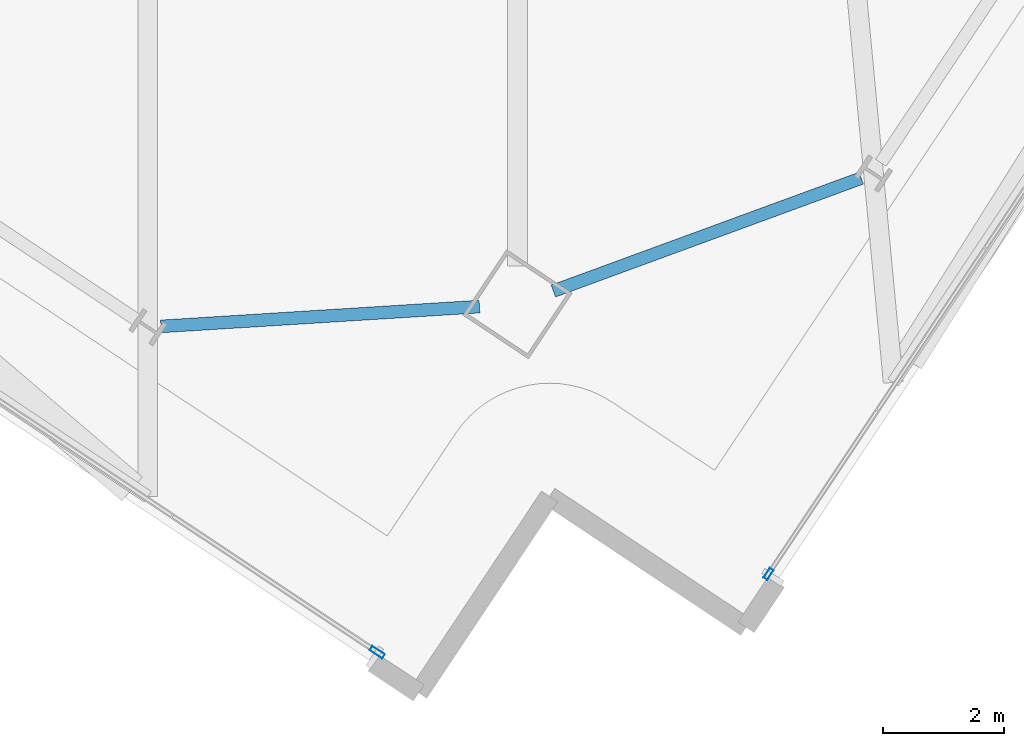
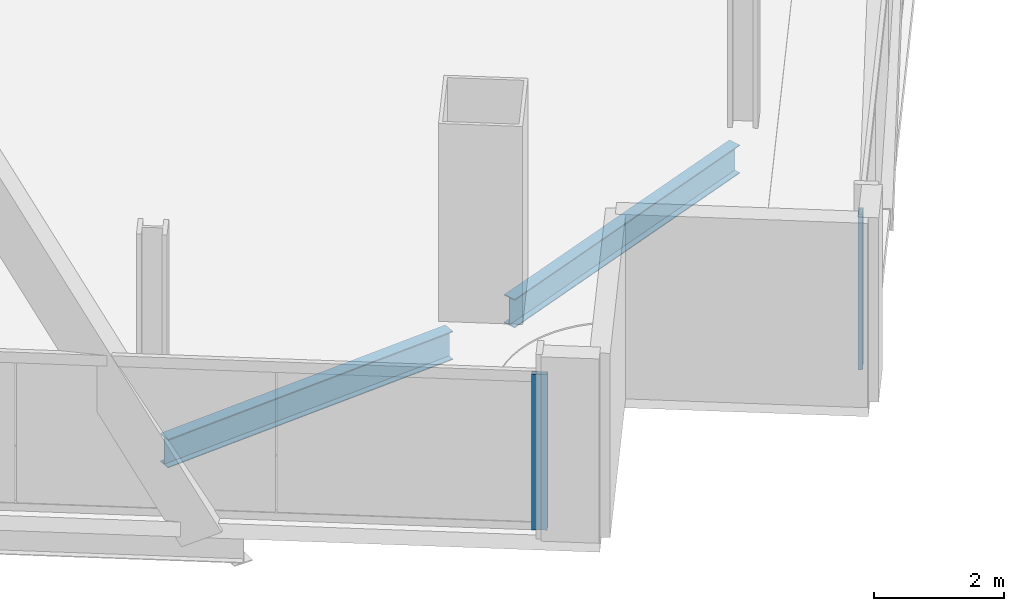
# One storey, part 7 of 32: 2 beams, 2 members, 2 elements without a shape of their own.
"""IFC4 building model written with IfcOpenShell, lengths in metres."""

from ifc_helpers import new_model, si_unit, direction, frame, origin, origin_2d, place, context, subcontext, project, spatial, hollow_rectangle, i_section, extrude, material, material_profile, profile_set, type_object, element, aggregate, save


model = new_model("IFC4")

# Units and contexts
model_context = context("Model", 3, precision=1e-05, world=origin(), true_north=direction((0.0, 1.0)))
body_context = subcontext(model_context, "Body", "Model", "MODEL_VIEW")
ifc_project = project(units=[si_unit("LENGTHUNIT", "METRE"), si_unit("AREAUNIT", "SQUARE_METRE"), si_unit("VOLUMEUNIT", "CUBIC_METRE"), si_unit("PLANEANGLEUNIT", "RADIAN"), si_unit("MASSUNIT", "GRAM", prefix="KILO")], contexts=[model_context])

# Site, building, storey
site_placement = place(None, origin())
site = spatial("IfcSite", under=ifc_project, at=site_placement, CompositionType="ELEMENT")
building_placement = place(site_placement, origin())
building = spatial("IfcBuilding", under=site, at=building_placement, Name="Haldenkirk Collegiate Tower", CompositionType="ELEMENT")
storey_placement = place(building_placement, frame((0.0, 0.0, 217.199951171875)))
storey = spatial("IfcBuildingStorey", under=building, at=storey_placement, Name="L54", CompositionType="ELEMENT", Elevation=217.199951171875)

# Beams
ifc_material_1 = material(Name="Steel ASTM A992 Grade 50", Category="steel")
ifc_material_profile_1 = material_profile(ifc_material_1, i_section(OverallWidth=0.2099609375, OverallDepth=0.537109375, WebThickness=0.010986328125, FlangeThickness=0.017333984375, at=origin_2d()), Name="W21X68")
ifc_profile_set_1 = profile_set([ifc_material_profile_1], Name="Steel ASTM A992 Grade 50")
beam_type = type_object("IfcBeamType", Name="BM-SPANDREL-W21X68", PredefinedType="SPANDREL", material=ifc_profile_set_1)
beam_1_placement = place(storey_placement, frame((41.07421875, 1.5498046875, -0.54833984375), z_axis=(0.938836975249, 0.344361922843, 0.0), x_axis=(-0.344361922843, 0.938836975249, 0.0)))
element("IfcBeam", 1, at=beam_1_placement, inside=storey, type_object=beam_type, Name="L54 perimeter spandrel beam 01", PredefinedType="SPANDREL", context=body_context, shape_type="SweptSolid", body=[
    extrude(i_section(OverallWidth=0.2099609375, OverallDepth=0.537109375, WebThickness=0.010986328125, FlangeThickness=0.017333984375, at=origin_2d()), origin(), (0.0, 0.0, 1.0), 5.41650390625),
])
beam_2_placement = place(storey_placement, frame((34.59326171875, 0.966064453125, -0.54833984375), z_axis=(0.99806607268, 0.062162002577, 0.0), x_axis=(-0.062162002577, 0.99806607268, 0.0)))
element("IfcBeam", 2, at=beam_2_placement, inside=storey, type_object=beam_type, Name="L54 perimeter spandrel beam 16", PredefinedType="SPANDREL", context=body_context, shape_type="SweptSolid", body=[
    extrude(i_section(OverallWidth=0.2099609375, OverallDepth=0.537109375, WebThickness=0.010986328125, FlangeThickness=0.017333984375, at=origin_2d()), origin(), (0.0, 0.0, 1.0), 5.270751953125),
])

# Curtain wall, member
ifc_material_2 = material(Name="Anodised architectural bronze aluminium", Category="aluminium")
curtain_wall_type_1 = type_object("IfcCurtainWallType", Name="CW-SYS2-CONCAVE", PredefinedType="USERDEFINED", material=ifc_material_2)
curtain_wall_1_placement = place(storey_placement, origin())
curtain_wall_1 = element("IfcCurtainWall", 3, at=curtain_wall_1_placement, inside=storey, type_object=curtain_wall_type_1, Name="L54 South concave recessed bronze-anodised curtain wall", ObjectType="UNITISED CURTAIN WALL", PredefinedType="USERDEFINED")
ifc_material_profile_2 = material_profile(ifc_material_2, hollow_rectangle(XDim=0.074951171875, YDim=0.18994140625, WallThickness=0.0048828125, at=origin_2d()), Name="CW-MUL-02")
ifc_profile_set_2 = profile_set([ifc_material_profile_2], Name="Anodised architectural bronze aluminium")
member_type_1 = type_object("IfcMemberType", Name="CW-MUL-02", PredefinedType="MULLION", material=ifc_profile_set_2)
member_1_placement = place(storey_placement, frame((44.6279296875, -3.123291015625, 0.0), z_axis=(0.0, 0.0, 1.0), x_axis=(0.832438256204, -0.55411781203, 0.0)))
member_1 = element("IfcMember", 4, at=member_1_placement, type_object=member_type_1, Name="CW-02 mullion 5", PredefinedType="MULLION", context=body_context, shape_type="SweptSolid", body=[
    extrude(hollow_rectangle(XDim=0.074951171875, YDim=0.18994140625, WallThickness=0.0048828125, at=origin_2d()), origin(), (0.0, 0.0, 1.0), 2.927978515625),
])
aggregate(curtain_wall_1, [member_1])

curtain_wall_type_2 = type_object("IfcCurtainWallType", Name="CW-SYS1B-CONVEX-HI", PredefinedType="USERDEFINED", material=ifc_material_2)
curtain_wall_2_placement = place(storey_placement, origin())
curtain_wall_2 = element("IfcCurtainWall", 5, at=curtain_wall_2_placement, inside=storey, type_object=curtain_wall_type_2, Name="L54 Upper tower high-wind convex bronze unitised curtain wall", ObjectType="UNITISED CURTAIN WALL", PredefinedType="USERDEFINED")
ifc_material_profile_3 = material_profile(ifc_material_2, hollow_rectangle(XDim=0.0849609375, YDim=0.25, WallThickness=0.0048828125, at=origin_2d()), Name="CW-MUL-1B")
ifc_profile_set_3 = profile_set([ifc_material_profile_3], Name="Anodised architectural bronze aluminium")
member_type_2 = type_object("IfcMemberType", Name="CW-MUL-1B", PredefinedType="MULLION", material=ifc_profile_set_3)
member_2_placement = place(storey_placement, frame((38.165771484375, -4.4169921875, 0.0), z_axis=(0.0, 0.0, 1.0), x_axis=(-0.554119986, -0.832436809083, 0.0)))
member_2 = element("IfcMember", 6, at=member_2_placement, type_object=member_type_2, Name="CW-1B mullion 1", PredefinedType="MULLION", context=body_context, shape_type="SweptSolid", body=[
    extrude(hollow_rectangle(XDim=0.0849609375, YDim=0.25, WallThickness=0.0048828125, at=origin_2d()), origin(), (0.0, 0.0, 1.0), 2.927978515625),
])
aggregate(curtain_wall_2, [member_2])

save(model, "model.ifc")
